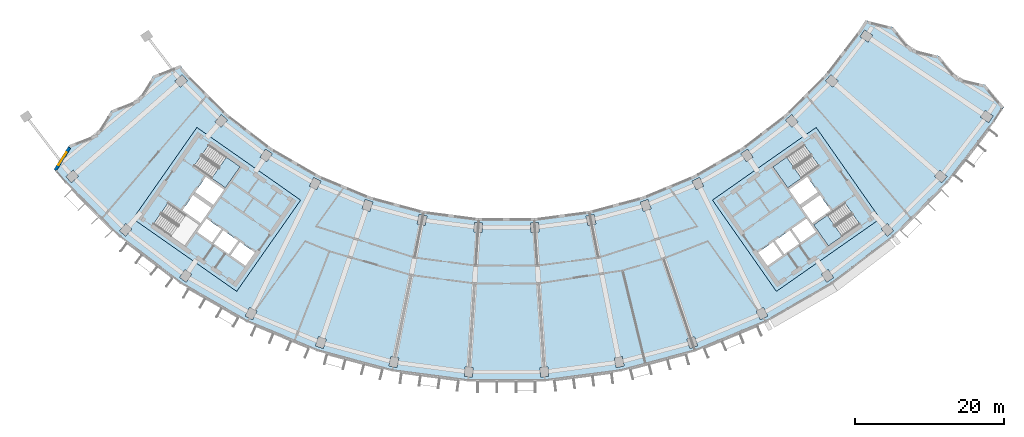
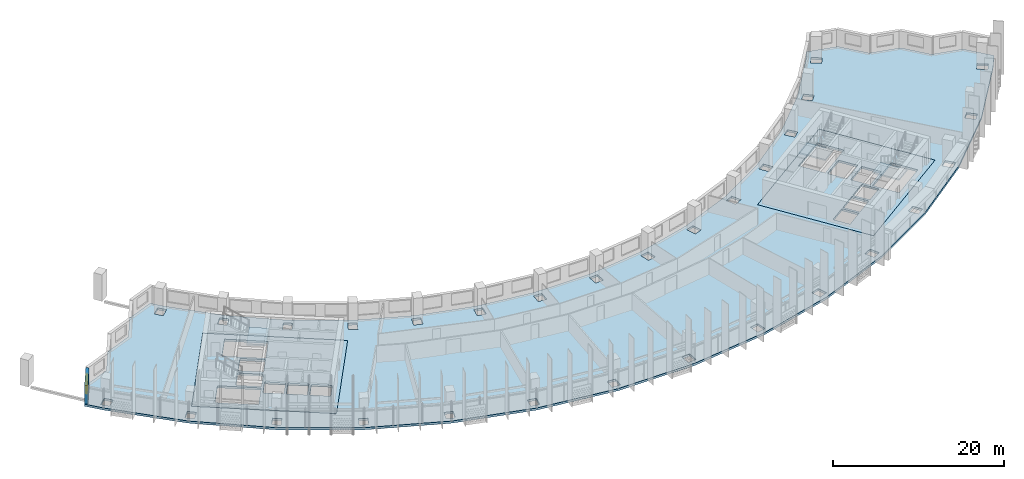
# One storey, part 2 of 27: 6 slabs, 1 wall, 1 window, 1 opening, 3 elements without a shape of their own.
"""IFC4 building model written with IfcOpenShell, lengths in metres."""

from ifc_helpers import new_model, si_unit, direction, frame, frame_2d, origin, place, context, subcontext, project, spatial, polyline, rectangle, outline, extrude, material, layer, layer_set, type_object, element, fill, aggregate, save


model = new_model("IFC4")

# Units and contexts
model_context = context("Model", 3, precision=1e-05, world=origin(), true_north=direction((0.0, 1.0)))
body_context = subcontext(model_context, "Body", "Model", "MODEL_VIEW")
ifc_project = project(units=[si_unit("LENGTHUNIT", "METRE"), si_unit("AREAUNIT", "SQUARE_METRE"), si_unit("VOLUMEUNIT", "CUBIC_METRE"), si_unit("PLANEANGLEUNIT", "RADIAN"), si_unit("MASSUNIT", "GRAM", prefix="KILO")], contexts=[model_context])

# Site, building, storey
site_placement = place(None, origin())
site = spatial("IfcSite", under=ifc_project, at=site_placement, CompositionType="ELEMENT")
building_placement = place(site_placement, origin())
building = spatial("IfcBuilding", under=site, at=building_placement, Name="Qamariyya Broadcast Tower", CompositionType="ELEMENT")
storey_placement = place(building_placement, frame((0.0, 0.0, 164.5)))
storey = spatial("IfcBuildingStorey", under=building, at=storey_placement, Name="L38", CompositionType="ELEMENT", Elevation=164.5)

# Slabs
ifc_material_1 = material(Name="Concrete C40/50", Category="concrete")
ifc_layer_1 = layer(ifc_material_1, 0.300048828125)
ifc_layer_set_1 = layer_set([ifc_layer_1], Name="Core floor slab 300 mm Concrete C40/50")
slab_type_1 = type_object("IfcSlabType", Name="Core floor slab 300 mm Concrete C40/50", PredefinedType="FLOOR", material=ifc_layer_set_1)
slab_1_placement = place(storey_placement, frame((0.0, 0.0, -0.300048828125)))
element("IfcSlab", 1, at=slab_1_placement, inside=storey, type_object=slab_type_1, Name="k-W-L38-slab", PredefinedType="FLOOR", context=body_context, shape_type="SweptSolid", body=[
    extrude(outline(polyline([(-50.286376953125, -56.95751953125), (-36.32373046875, -66.734375), (-27.719970703125, -54.447021484375), (-41.6826171875, -44.67041015625), (-50.286376953125, -56.95751953125)]), holes=[polyline([(-33.87353515625, -61.49169921875), (-35.88037109375, -60.08642578125), (-37.142333984375, -61.888427734375), (-35.13525390625, -63.293701171875), (-33.87353515625, -61.49169921875)]), polyline([(-36.126220703125, -59.914306640625), (-38.133056640625, -58.509033203125), (-39.394775390625, -60.311279296875), (-37.387939453125, -61.716552734375), (-36.126220703125, -59.914306640625)]), polyline([(-38.378662109375, -58.3369140625), (-40.3857421875, -56.931640625), (-41.6474609375, -58.73388671875), (-39.640625, -60.13916015625), (-38.378662109375, -58.3369140625)]), polyline([(-39.742431640625, -55.489990234375), (-42.199951171875, -53.769287109375), (-43.6337890625, -55.817138671875), (-41.17626953125, -57.537841796875), (-39.742431640625, -55.489990234375)]), polyline([(-39.45556640625, -55.080322265625), (-41.9130859375, -53.359619140625), (-40.47900390625, -51.311767578125), (-38.021728515625, -53.032470703125), (-39.45556640625, -55.080322265625)]), polyline([(-42.06103515625, -49.837890625), (-37.849609375, -52.78662109375), (-35.870849609375, -49.960693359375), (-40.082275390625, -47.01171875), (-42.06103515625, -49.837890625)]), polyline([(-47.538818359375, -57.66064453125), (-43.3271484375, -60.609619140625), (-41.348388671875, -57.783447265625), (-45.559814453125, -54.834716796875), (-47.538818359375, -57.66064453125)])]), origin(), (0.0, 0.0, 1.0), 0.300048828125),
])
slab_2_placement = place(storey_placement, frame((0.0, 0.0, -0.300048828125)))
element("IfcSlab", 2, at=slab_2_placement, inside=storey, type_object=slab_type_1, Name="k-E-L38-slab", PredefinedType="FLOOR", context=body_context, shape_type="SweptSolid", body=[
    extrude(outline(polyline([(36.32373046875, -66.734375), (50.286376953125, -56.95751953125), (41.6826171875, -44.67041015625), (27.719970703125, -54.447021484375), (36.32373046875, -66.734375)]), holes=[polyline([(33.87353515625, -61.49169921875), (35.88037109375, -60.08642578125), (37.142333984375, -61.888427734375), (35.13525390625, -63.293701171875), (33.87353515625, -61.49169921875)]), polyline([(36.126220703125, -59.914306640625), (38.133056640625, -58.509033203125), (39.394775390625, -60.311279296875), (37.387939453125, -61.716552734375), (36.126220703125, -59.914306640625)]), polyline([(38.378662109375, -58.3369140625), (40.3857421875, -56.931640625), (41.6474609375, -58.73388671875), (39.640625, -60.13916015625), (38.378662109375, -58.3369140625)]), polyline([(39.742431640625, -55.489990234375), (42.199951171875, -53.769287109375), (43.6337890625, -55.817138671875), (41.17626953125, -57.537841796875), (39.742431640625, -55.489990234375)]), polyline([(39.45556640625, -55.080322265625), (41.9130859375, -53.359619140625), (40.47900390625, -51.311767578125), (38.021728515625, -53.032470703125), (39.45556640625, -55.080322265625)]), polyline([(40.082275390625, -47.01171875), (35.870849609375, -49.960693359375), (37.849609375, -52.78662109375), (42.06103515625, -49.837890625), (40.082275390625, -47.01171875)]), polyline([(45.559814453125, -54.834716796875), (41.348388671875, -57.783447265625), (43.3271484375, -60.609619140625), (47.538818359375, -57.66064453125), (45.559814453125, -54.834716796875)])]), origin(), (0.0, 0.0, 1.0), 0.300048828125),
])
ifc_layer_2 = layer(ifc_material_1, 0.300048828125)
ifc_layer_set_2 = layer_set([ifc_layer_2], Name="Post-tensioned floor slab 300 C40/50")
slab_type_2 = type_object("IfcSlabType", Name="Post-tensioned floor slab 300 C40/50", PredefinedType="FLOOR", material=ifc_layer_set_2)
slab_3_placement = place(storey_placement, frame((0.0, 0.0, -0.300048828125)))
element("IfcSlab", 3, at=slab_3_placement, inside=storey, type_object=slab_type_2, Name="Floor slab S4 L38", PredefinedType="FLOOR", context=body_context, shape_type="SweptSolid", body=[
    extrude(outline(polyline([(-58.848388671875, -47.031494140625), (-60.91943359375, -50.29736328125), (-59.395263671875, -52.08837890625), (-52.08837890625, -59.395263671875), (-43.89013671875, -65.68603515625), (-34.94091796875, -70.85302734375), (-25.393798828125, -74.807373046875), (-15.412109375, -77.48193359375), (-5.166748046875, -78.830810546875), (5.166748046875, -78.830810546875), (15.412109375, -77.48193359375), (25.393798828125, -74.807373046875), (34.94091796875, -70.85302734375), (43.89013671875, -65.68603515625), (52.08837890625, -59.395263671875), (59.395263671875, -52.08837890625), (65.68603515625, -43.89013671875), (66.96337890625, -41.91552734375), (64.48388671875, -38.947998046875), (60.747314453125, -38.024658203125), (58.26708984375, -35.056396484375), (54.53125, -34.1337890625), (52.0498046875, -31.1650390625), (48.315185546875, -30.242919921875), (47.393798828125, -31.66748046875), (42.85498046875, -37.582763671875), (37.582763671875, -42.85498046875), (31.66748046875, -47.393798828125), (25.21044921875, -51.121826171875), (18.322021484375, -53.97509765625), (11.1201171875, -55.90478515625), (3.72802734375, -56.8779296875), (-3.72802734375, -56.8779296875), (-11.1201171875, -55.90478515625), (-18.322021484375, -53.97509765625), (-25.21044921875, -51.121826171875), (-31.66748046875, -47.393798828125), (-37.582763671875, -42.85498046875), (-42.85498046875, -37.582763671875), (-43.954345703125, -36.29052734375), (-47.536865234375, -37.692138671875), (-49.609375, -40.95947265625), (-53.192626953125, -42.362060546875), (-55.264404296875, -45.62841796875), (-58.848388671875, -47.031494140625)]), holes=[polyline([(-5.676513671875, -78.1962890625), (-5.59130859375, -76.89892578125), (-4.49365234375, -76.970947265625), (-4.578857421875, -78.26806640625), (-5.676513671875, -78.1962890625)]), polyline([(-15.83447265625, -76.786376953125), (-15.580810546875, -75.51123046875), (-14.501953125, -75.725830078125), (-14.755615234375, -77.0009765625), (-15.83447265625, -76.786376953125)]), polyline([(-25.7216796875, -74.0625), (-25.3037109375, -72.83154296875), (-24.26220703125, -73.18505859375), (-24.679931640625, -74.416015625), (-25.7216796875, -74.0625)]), polyline([(-35.168701171875, -70.071533203125), (-34.59375, -68.905517578125), (-33.607177734375, -69.39208984375), (-34.18212890625, -70.55810546875), (-35.168701171875, -70.071533203125)]), polyline([(-44.013916015625, -64.881591796875), (-43.291748046875, -63.80078125), (-42.377197265625, -64.411865234375), (-43.099365234375, -65.49267578125), (-44.013916015625, -64.881591796875)]), polyline([(-52.106201171875, -58.58154296875), (-51.2490234375, -57.604248046875), (-50.422119140625, -58.32958984375), (-51.279296875, -59.306884765625), (-52.106201171875, -58.58154296875)]), polyline([(-4.401123046875, -58.738037109375), (-4.316162109375, -57.440673828125), (-3.218505859375, -57.5126953125), (-3.303466796875, -58.809814453125), (-4.401123046875, -58.738037109375)]), polyline([(-12.0302734375, -57.660888671875), (-11.776611328125, -56.385986328125), (-10.69775390625, -56.6005859375), (-10.951416015625, -57.87548828125), (-12.0302734375, -57.660888671875)]), polyline([(-50.286376953125, -56.95751953125), (-41.6826171875, -44.67041015625), (-27.719970703125, -54.447021484375), (-36.32373046875, -66.734375), (-50.286376953125, -56.95751953125)]), polyline([(-19.45361328125, -55.597412109375), (-19.03564453125, -54.366455078125), (-17.994140625, -54.719970703125), (-18.411865234375, -55.950927734375), (-19.45361328125, -55.597412109375)]), polyline([(-26.544189453125, -52.58251953125), (-25.968994140625, -51.41650390625), (-24.982666015625, -51.903076171875), (-25.5576171875, -53.069091796875), (-26.544189453125, -52.58251953125)]), polyline([(-59.306884765625, -51.279296875), (-58.32958984375, -50.422119140625), (-57.604248046875, -51.2490234375), (-58.58154296875, -52.106201171875), (-59.306884765625, -51.279296875)]), polyline([(-33.180419921875, -48.66796875), (-32.458251953125, -47.587158203125), (-31.54345703125, -48.1982421875), (-32.265869140625, -49.279052734375), (-33.180419921875, -48.66796875)]), polyline([(-39.2490234375, -43.920654296875), (-38.391845703125, -42.943359375), (-37.564697265625, -43.668701171875), (-38.421875, -44.64599609375), (-39.2490234375, -43.920654296875)]), polyline([(-43.668701171875, -37.564697265625), (-42.943359375, -38.391845703125), (-43.920654296875, -39.2490234375), (-44.64599609375, -38.421875), (-43.668701171875, -37.564697265625)]), polyline([(4.578857421875, -78.26806640625), (4.49365234375, -76.970947265625), (5.59130859375, -76.89892578125), (5.676513671875, -78.1962890625), (4.578857421875, -78.26806640625)]), polyline([(14.755615234375, -77.0009765625), (14.501953125, -75.725830078125), (15.580810546875, -75.51123046875), (15.83447265625, -76.786376953125), (14.755615234375, -77.0009765625)]), polyline([(24.679931640625, -74.416015625), (24.26220703125, -73.18505859375), (25.3037109375, -72.83154296875), (25.7216796875, -74.0625), (24.679931640625, -74.416015625)]), polyline([(34.18212890625, -70.55810546875), (33.607177734375, -69.39208984375), (34.59375, -68.905517578125), (35.168701171875, -70.071533203125), (34.18212890625, -70.55810546875)]), polyline([(43.099365234375, -65.49267578125), (42.377197265625, -64.411865234375), (43.291748046875, -63.80078125), (44.013916015625, -64.881591796875), (43.099365234375, -65.49267578125)]), polyline([(51.279296875, -59.306884765625), (50.422119140625, -58.32958984375), (51.2490234375, -57.604248046875), (52.106201171875, -58.58154296875), (51.279296875, -59.306884765625)]), polyline([(3.303466796875, -58.809814453125), (3.218505859375, -57.5126953125), (4.316162109375, -57.440673828125), (4.401123046875, -58.738037109375), (3.303466796875, -58.809814453125)]), polyline([(10.951416015625, -57.87548828125), (10.69775390625, -56.6005859375), (11.776611328125, -56.385986328125), (12.0302734375, -57.660888671875), (10.951416015625, -57.87548828125)]), polyline([(36.32373046875, -66.734375), (27.719970703125, -54.447021484375), (41.6826171875, -44.67041015625), (50.286376953125, -56.95751953125), (36.32373046875, -66.734375)]), polyline([(18.411865234375, -55.950927734375), (17.994140625, -54.719970703125), (19.03564453125, -54.366455078125), (19.45361328125, -55.597412109375), (18.411865234375, -55.950927734375)]), polyline([(25.5576171875, -53.069091796875), (24.982666015625, -51.903076171875), (25.968994140625, -51.41650390625), (26.544189453125, -52.58251953125), (25.5576171875, -53.069091796875)]), polyline([(58.58154296875, -52.106201171875), (57.604248046875, -51.2490234375), (58.32958984375, -50.422119140625), (59.306884765625, -51.279296875), (58.58154296875, -52.106201171875)]), polyline([(32.265869140625, -49.279052734375), (31.54345703125, -48.1982421875), (32.458251953125, -47.587158203125), (33.180419921875, -48.66796875), (32.265869140625, -49.279052734375)]), polyline([(38.421875, -44.64599609375), (37.564697265625, -43.668701171875), (38.391845703125, -42.943359375), (39.2490234375, -43.920654296875), (38.421875, -44.64599609375)]), polyline([(64.881591796875, -44.013916015625), (63.80078125, -43.291748046875), (64.411865234375, -42.377197265625), (65.49267578125, -43.099365234375), (64.881591796875, -44.013916015625)]), polyline([(42.943359375, -38.391845703125), (43.668701171875, -37.564697265625), (44.64599609375, -38.421875), (43.920654296875, -39.2490234375), (42.943359375, -38.391845703125)]), polyline([(47.587158203125, -32.458251953125), (48.1982421875, -31.54345703125), (49.279052734375, -32.265869140625), (48.66796875, -33.180419921875), (47.587158203125, -32.458251953125)])]), origin(), (0.0, 0.0, 1.0), 0.300048828125),
])

# Stair, slab
ifc_material_2 = material(Name="Concrete C50/60", Category="concrete")
stair_type = type_object("IfcStairType", Name="Exit stair 22 risers of 173 mm", PredefinedType="HALF_TURN_STAIR", material=ifc_material_2)
stair_1_placement = place(storey_placement, origin())
stair_1 = element("IfcStair", 4, at=stair_1_placement, inside=storey, type_object=stair_type, Name="L38 Stair W2", PredefinedType="HALF_TURN_STAIR")
ifc_layer_3 = layer(ifc_material_2, 0.199951171875)
ifc_layer_set_3 = layer_set([ifc_layer_3], Name="Stair landing")
slab_type_3 = type_object("IfcSlabType", Name="Stair landing", PredefinedType="LANDING", material=ifc_layer_set_3)
slab_4_placement = place(storey_placement, frame((0.0, 0.0, 1.699951171875)))
slab_4 = element("IfcSlab", 5, at=slab_4_placement, type_object=slab_type_3, Name="ST-W2 landing 1", PredefinedType="LANDING", context=body_context, shape_type="SweptSolid", body=[
    extrude(outline(polyline([(-39.692138671875, -51.49658203125), (-37.849609375, -52.78662109375), (-35.870849609375, -49.960693359375), (-37.71337890625, -48.67041015625), (-39.692138671875, -51.49658203125)])), origin(), (0.0, 0.0, 1.0), 0.199951171875),
])
aggregate(stair_1, [slab_4])

stair_2_placement = place(storey_placement, origin())
stair_2 = element("IfcStair", 6, at=stair_2_placement, inside=storey, type_object=stair_type, Name="L38 Stair E2", PredefinedType="HALF_TURN_STAIR")
slab_5_placement = place(storey_placement, frame((0.0, 0.0, 1.699951171875)))
slab_5 = element("IfcSlab", 7, at=slab_5_placement, type_object=slab_type_3, Name="ST-E2 landing 1", PredefinedType="LANDING", context=body_context, shape_type="SweptSolid", body=[
    extrude(outline(polyline([(37.71337890625, -48.67041015625), (35.870849609375, -49.960693359375), (37.849609375, -52.78662109375), (39.692138671875, -51.49658203125), (37.71337890625, -48.67041015625)])), origin(), (0.0, 0.0, 1.0), 0.199951171875),
])
aggregate(stair_2, [slab_5])

stair_3_placement = place(storey_placement, origin())
stair_3 = element("IfcStair", 8, at=stair_3_placement, inside=storey, type_object=stair_type, Name="L38 Stair E1", PredefinedType="HALF_TURN_STAIR")
slab_6_placement = place(storey_placement, frame((0.0, 0.0, 1.699951171875)))
slab_6 = element("IfcSlab", 9, at=slab_6_placement, type_object=slab_type_3, Name="ST-E1 landing 1", PredefinedType="LANDING", context=body_context, shape_type="SweptSolid", body=[
    extrude(outline(polyline([(43.19091796875, -56.493408203125), (41.348388671875, -57.783447265625), (43.3271484375, -60.609619140625), (45.169677734375, -59.319580078125), (43.19091796875, -56.493408203125)])), origin(), (0.0, 0.0, 1.0), 0.199951171875),
])
aggregate(stair_3, [slab_6])

# Wall, opening, window
ifc_material_3 = material(Name="Terracotta", Category="masonry")
ifc_layer_4 = layer(ifc_material_3, 0.39990234375)
ifc_layer_set_4 = layer_set([ifc_layer_4], Name="Terracotta clad wall 400")
wall_type = type_object("IfcWallType", Name="Terracotta clad wall 400", PredefinedType="SOLIDWALL", material=ifc_layer_set_4)
wall_placement = place(storey_placement, frame((-58.82958984375, -47.375244140625, 0.0), z_axis=(0.0, 0.0, 1.0), x_axis=(-0.535518346098, -0.844523594101, 0.0)))
wall = element("IfcWall", 10, at=wall_placement, inside=storey, type_object=wall_type, Name="e-wl-L38-capW5", PredefinedType="SOLIDWALL", context=body_context, shape_type="SweptSolid", body=[
    extrude(rectangle(XDim=3.5869140625, YDim=0.39990234375, at=frame_2d((1.79345703125, 0.0))), origin(), (0.0, 0.0, 1.0), 2.699951171875),
])
opening_placement = place(wall_placement, frame((0.79345703125, 0.0, 0.89990234375)))
opening = element("IfcOpeningElement", 11, at=opening_placement, cuts=wall, Name="Opening W4", PredefinedType="OPENING", context=body_context, shape_type="SweptSolid", body=[
    extrude(rectangle(XDim=2.0, YDim=1.5, at=frame_2d((1.0, 0.75))), frame((0.0, 0.2099609375, 0.0), z_axis=(0.0, -1.0, 0.0), x_axis=(1.0, 0.0, 0.0)), (0.0, 0.0, 1.0), 0.419921875),
])
ifc_material_4 = material(Name="Clear low-e double glazed unit in aluminium frame", Category="aluminium")
window_type = type_object("IfcWindowType", Name="Horn bay window 2000 x 1500", PartitioningType="SINGLE_PANEL", PredefinedType="WINDOW", material=ifc_material_4)
window_placement = place(opening_placement, origin())
window = element("IfcWindow", 12, at=window_placement, inside=storey, type_object=window_type, Name="e-w-L38-capW5", OverallHeight=1.5, OverallWidth=2.0, PartitioningType="SINGLE_PANEL", PredefinedType="WINDOW", context=body_context, shape_type="SweptSolid", body=[
    extrude(rectangle(XDim=2.0, YDim=1.5, at=frame_2d((1.0, 0.75))), frame((0.0, 0.030029296875, 0.0), z_axis=(0.0, -1.0, 0.0), x_axis=(1.0, 0.0, 0.0)), (0.0, 0.0, 1.0), 0.06005859375),
])
fill(opening, window)

save(model, "model.ifc")
